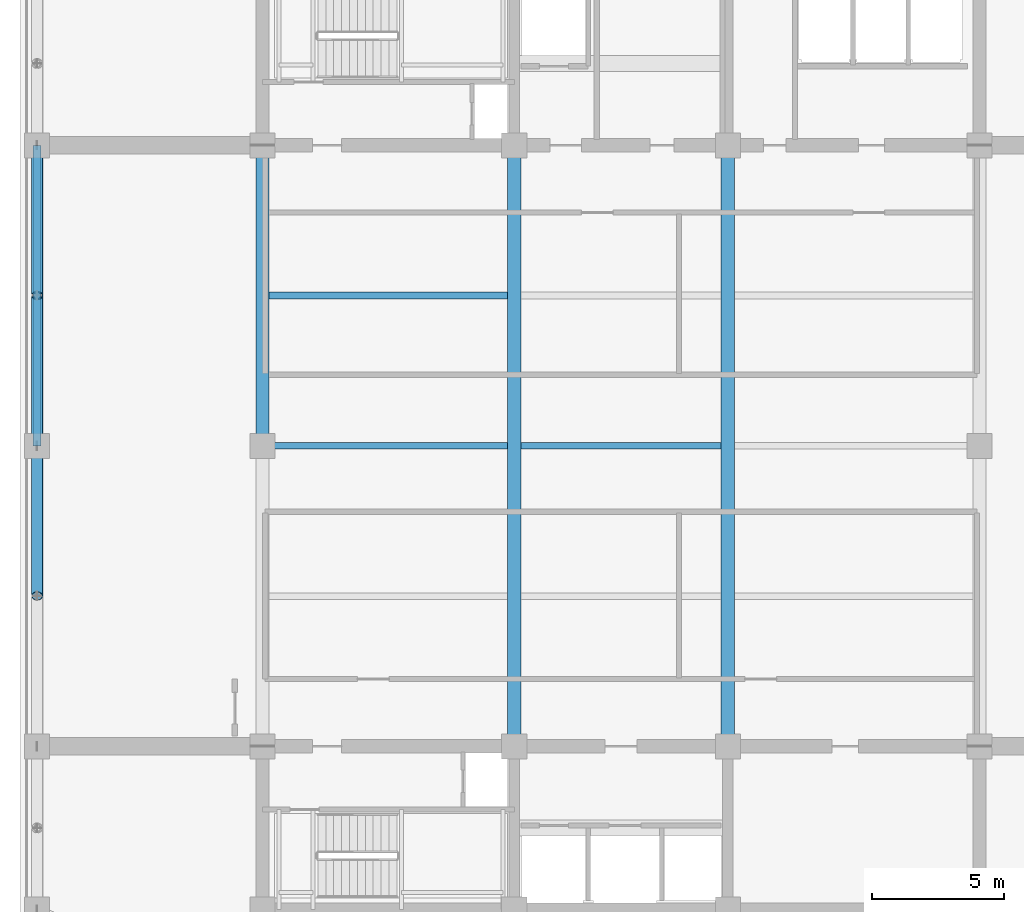
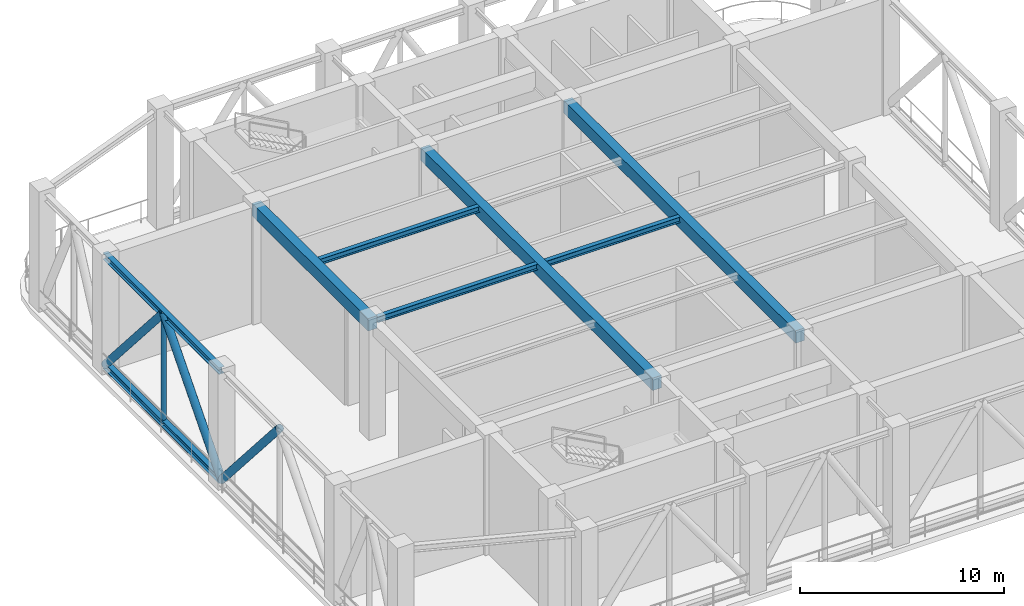
# One storey, part 4 of 20: 8 beams, 4 members.
"""IFC4 building model written with IfcOpenShell, lengths in metres."""

from ifc_helpers import new_model, si_unit, direction, frame, origin, origin_2d, place, context, subcontext, project, spatial, rectangle, hollow_circle, i_section, extrude, material, material_profile, profile_set, type_object, element, save


model = new_model("IFC4")

# Units and contexts
model_context = context("Model", 3, precision=1e-05, world=origin(), true_north=direction((0.0, 1.0)))
body_context = subcontext(model_context, "Body", "Model", "MODEL_VIEW")
ifc_project = project(units=[si_unit("LENGTHUNIT", "METRE"), si_unit("AREAUNIT", "SQUARE_METRE"), si_unit("VOLUMEUNIT", "CUBIC_METRE"), si_unit("PLANEANGLEUNIT", "RADIAN"), si_unit("MASSUNIT", "GRAM", prefix="KILO")], contexts=[model_context])

# Site, building, storey
site_placement = place(None, origin())
site = spatial("IfcSite", under=ifc_project, at=site_placement, CompositionType="ELEMENT")
building_placement = place(site_placement, origin())
building = spatial("IfcBuilding", under=site, at=building_placement, Name="Svetorya Sky Lyceum", CompositionType="ELEMENT")
storey_placement = place(building_placement, frame((0.0, 0.0, 195.89990234375)))
storey = spatial("IfcBuildingStorey", under=building, at=storey_placement, Name="L49", CompositionType="ELEMENT", Elevation=195.89990234375)

# Beams
ifc_material_1 = material(Name="Concrete C50/60", Category="concrete")
ifc_material_profile_1 = material_profile(ifc_material_1, rectangle(XDim=0.5, YDim=0.75, at=origin_2d()), Name="RC BEAM 500x750")
ifc_profile_set_1 = profile_set([ifc_material_profile_1], Name="Concrete C50/60")
beam_type_1 = type_object("IfcBeamType", Name="BM-RC-750", PredefinedType="BEAM", material=ifc_profile_set_1)
beam_1_placement = place(storey_placement, frame((25.60009765625, 28.199951171875, 6.565185546875), z_axis=(0.0, 1.0, 0.0), x_axis=(-1.0, 0.0, 0.0)))
element("IfcBeam", 1, at=beam_1_placement, inside=storey, type_object=beam_type_1, Name="L49 Central Bay Primary Girder CG-1B", PredefinedType="BEAM", context=body_context, shape_type="SweptSolid", body=[
    extrude(rectangle(XDim=0.5, YDim=0.75, at=origin_2d()), origin(), (0.0, 0.0, 1.0), 11.400146484375),
])
for number, where, z_axis, x_axis, name in (
    (2, (35.14990234375, 16.800048828125, 6.565185546875), (0.0, 1.0, 0.0), (-1.0, 0.0, 0.0), "L49 Central Bay Primary Girder CG-2"),
    (3, (43.25, 16.800048828125, 6.565185546875), (0.0, 1.0, 0.0), (-1.0, 0.0, 0.0), "L49 Central Bay Primary Girder CG-3"),
):
    element("IfcBeam", number, at=place(storey_placement, frame(where, z_axis=z_axis, x_axis=x_axis)), inside=storey, type_object=beam_type_1, Name=name, PredefinedType="BEAM", context=body_context, shape_type="SweptSolid", body=[
        extrude(rectangle(XDim=0.5, YDim=0.75, at=origin_2d()), origin(), (0.0, 0.0, 1.0), 22.800048828125),
    ])
ifc_material_2 = material(Name="Steel S355", Category="steel")
ifc_material_profile_2 = material_profile(ifc_material_2, i_section(OverallWidth=0.25, OverallDepth=0.345947265625, WebThickness=0.009521484375, FlangeThickness=0.014404296875, at=origin_2d()), Name="GOST 35Sh2")
ifc_profile_set_2 = profile_set([ifc_material_profile_2], Name="Steel S355")
beam_type_2 = type_object("IfcBeamType", Name="BM-STL-35SH2", PredefinedType="BEAM", material=ifc_profile_set_2)
beam_2_placement = place(storey_placement, frame((25.85009765625, 28.199951171875, 6.76708984375), z_axis=(1.0, 0.0, 0.0), x_axis=(0.0, 1.0, 0.0)))
element("IfcBeam", 4, at=beam_2_placement, inside=storey, type_object=beam_type_2, Name="L49 Central Floor Joist CJ-2.1", PredefinedType="BEAM", context=body_context, shape_type="SweptSolid", body=[
    extrude(i_section(OverallWidth=0.25, OverallDepth=0.345947265625, WebThickness=0.009521484375, FlangeThickness=0.014404296875, at=origin_2d()), origin(), (0.0, 0.0, 1.0), 9.0498046875),
])
beam_3_placement = place(storey_placement, frame((35.39990234375, 28.199951171875, 6.76708984375), z_axis=(1.0, 0.0, 0.0), x_axis=(0.0, 1.0, 0.0)))
element("IfcBeam", 5, at=beam_3_placement, inside=storey, type_object=beam_type_2, Name="L49 Central Floor Joist CJ-2.2", PredefinedType="BEAM", context=body_context, shape_type="SweptSolid", body=[
    extrude(i_section(OverallWidth=0.25, OverallDepth=0.345947265625, WebThickness=0.009521484375, FlangeThickness=0.014404296875, at=origin_2d()), origin(), (0.0, 0.0, 1.0), 7.60009765625),
])
beam_4_placement = place(storey_placement, frame((25.85009765625, 33.89990234375, 6.76708984375), z_axis=(1.0, 0.0, 0.0), x_axis=(0.0, 1.0, 0.0)))
element("IfcBeam", 6, at=beam_4_placement, inside=storey, type_object=beam_type_2, Name="L49 Central Floor Joist CJ-3.1", PredefinedType="BEAM", context=body_context, shape_type="SweptSolid", body=[
    extrude(i_section(OverallWidth=0.25, OverallDepth=0.345947265625, WebThickness=0.009521484375, FlangeThickness=0.014404296875, at=origin_2d()), origin(), (0.0, 0.0, 1.0), 9.0498046875),
])
ifc_material_profile_3 = material_profile(ifc_material_2, i_section(OverallWidth=0.300048828125, OverallDepth=0.39404296875, WebThickness=0.010986328125, FlangeThickness=0.0166015625, at=origin_2d()), Name="GOST 40Sh2")
ifc_profile_set_3 = profile_set([ifc_material_profile_3], Name="Steel S355")
beam_type_3 = type_object("IfcBeamType", Name="BM-STL-40SH2", PredefinedType="BEAM", material=ifc_profile_set_3)
for number, where, z_axis, x_axis, name in (
    (7, (17.050048828125, 28.199951171875, 0.197021484375), (0.0, 1.0, 0.0), (-1.0, 0.0, 0.0), "L49 Belt Truss Bottom Chord W-3"),
    (8, (17.050048828125, 28.199951171875, 6.7431640625), (0.0, 1.0, 0.0), (-1.0, 0.0, 0.0), "L49 Belt Truss Top Chord W-3"),
):
    element("IfcBeam", number, at=place(storey_placement, frame(where, z_axis=z_axis, x_axis=x_axis)), inside=storey, type_object=beam_type_3, Name=name, PredefinedType="BEAM", context=body_context, shape_type="SweptSolid", body=[
        extrude(i_section(OverallWidth=0.300048828125, OverallDepth=0.39404296875, WebThickness=0.010986328125, FlangeThickness=0.0166015625, at=origin_2d()), origin(), (0.0, 0.0, 1.0), 11.400146484375),
    ])

# Members
ifc_material_profile_4 = material_profile(ifc_material_2, hollow_circle(Radius=0.212890625, WallThickness=0.01806640625, at=origin_2d()), Name="CHS 426x18")
ifc_profile_set_4 = profile_set([ifc_material_profile_4], Name="Steel S355")
member_type_1 = type_object("IfcMemberType", Name="MB-BRC-CHS426", PredefinedType="BRACE", material=ifc_profile_set_4)
for number, where, z_axis, x_axis, name in (
    (9, (17.050048828125, 28.199951171875, 0.197021484375), (0.0, -0.656680646907, 0.754168766244), (1.0, 0.0, 0.0), "L49 Belt Truss Diagonal W-2B"),
    (10, (17.050048828125, 28.199951171875, 0.197021484375), (0.0, 0.656680646907, 0.754168766244), (-1.0, 0.0, 0.0), "L49 Belt Truss Diagonal W-3A"),
):
    element("IfcMember", number, at=place(storey_placement, frame(where, z_axis=z_axis, x_axis=x_axis)), inside=storey, type_object=member_type_1, Name=name, PredefinedType="BRACE", context=body_context, shape_type="SweptSolid", body=[
        extrude(hollow_circle(Radius=0.212890625, WallThickness=0.01806640625, at=origin_2d()), origin(), (0.0, 0.0, 1.0), 8.679931640625),
    ])
member_1_placement = place(storey_placement, frame((17.050048828125, 39.60009765625, 0.197021484375), z_axis=(0.0, -0.656696644262, 0.754154836499), x_axis=(1.0, 0.0, 0.0)))
element("IfcMember", 11, at=member_1_placement, inside=storey, type_object=member_type_1, Name="L49 Belt Truss Diagonal W-3B", PredefinedType="BRACE", context=body_context, shape_type="SweptSolid", body=[
    extrude(hollow_circle(Radius=0.212890625, WallThickness=0.01806640625, at=origin_2d()), origin(), (0.0, 0.0, 1.0), 8.68017578125),
])
ifc_material_profile_5 = material_profile(ifc_material_2, hollow_circle(Radius=0.136474609375, WallThickness=0.011962890625, at=origin_2d()), Name="CHS 273x12")
ifc_profile_set_5 = profile_set([ifc_material_profile_5], Name="Steel S355")
member_type_2 = type_object("IfcMemberType", Name="MB-STR-CHS273", PredefinedType="STRUT", material=ifc_profile_set_5)
member_2_placement = place(storey_placement, frame((17.050048828125, 33.89990234375, 0.197021484375), z_axis=(0.0, 0.0, 1.0), x_axis=(1.0, 0.0, 0.0)))
element("IfcMember", 12, at=member_2_placement, inside=storey, type_object=member_type_2, Name="L49 Belt Truss Post W-3", PredefinedType="STRUT", context=body_context, shape_type="SweptSolid", body=[
    extrude(hollow_circle(Radius=0.136474609375, WallThickness=0.011962890625, at=origin_2d()), origin(), (0.0, 0.0, 1.0), 6.546142578125),
])

save(model, "model.ifc")
